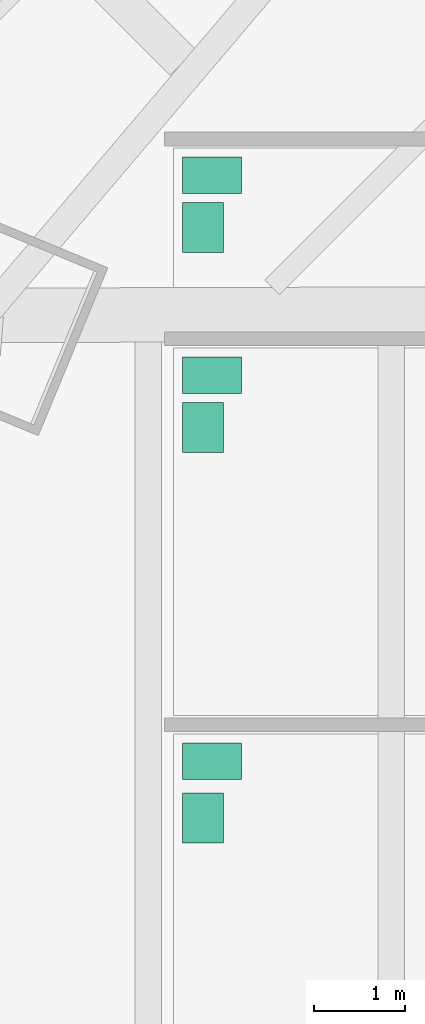
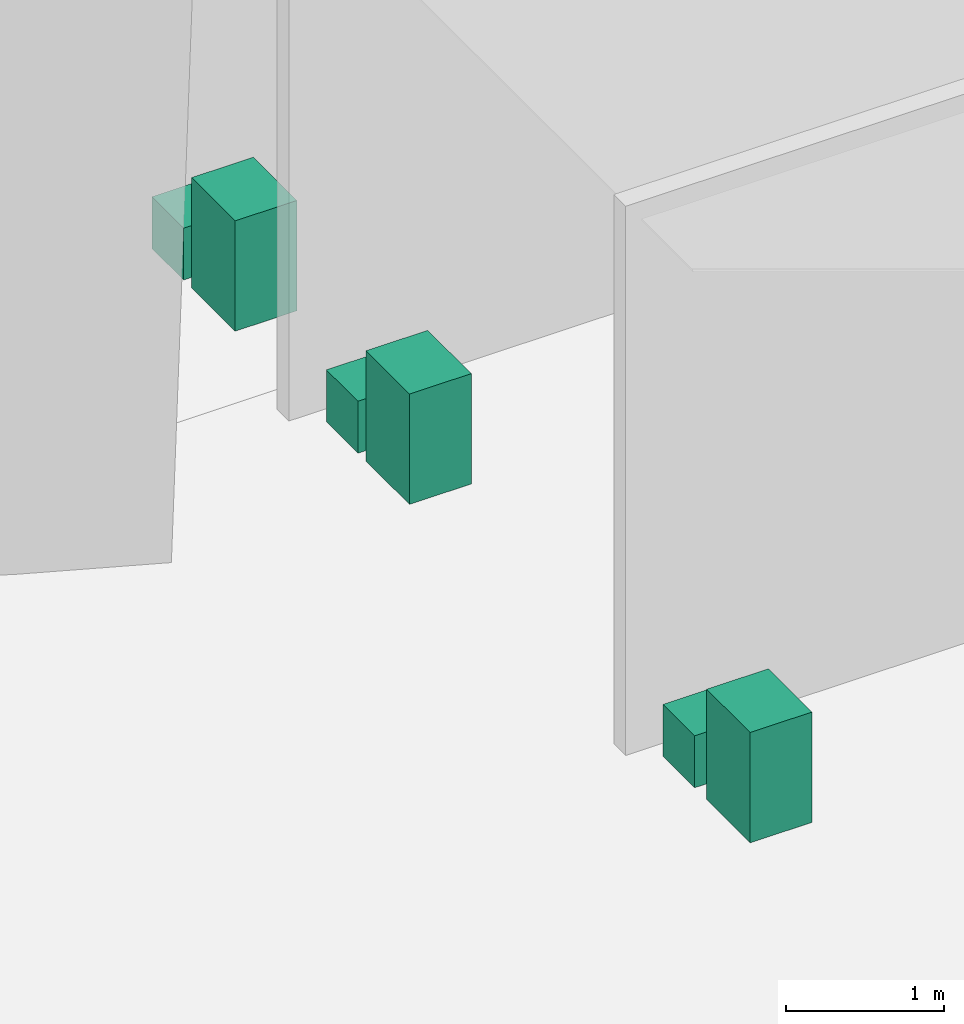
# One storey, part 18 of 18: 6 sanitary terminals.
"""IFC4 building model written with IfcOpenShell, lengths in metres."""

from ifc_helpers import new_model, si_unit, direction, frame, origin, origin_2d, place, context, subcontext, project, spatial, rectangle, extrude, material, type_object, element, save


model = new_model("IFC4")

# Units and contexts
model_context = context("Model", 3, precision=1e-05, world=origin(), true_north=direction((0.0, 1.0)))
body_context = subcontext(model_context, "Body", "Model", "MODEL_VIEW")
ifc_project = project(units=[si_unit("LENGTHUNIT", "METRE"), si_unit("AREAUNIT", "SQUARE_METRE"), si_unit("VOLUMEUNIT", "CUBIC_METRE"), si_unit("PLANEANGLEUNIT", "RADIAN"), si_unit("MASSUNIT", "GRAM", prefix="KILO")], contexts=[model_context])

# Site, building, storey
site_placement = place(None, origin())
site = spatial("IfcSite", under=ifc_project, at=site_placement, CompositionType="ELEMENT")
building_placement = place(site_placement, origin())
building = spatial("IfcBuilding", under=site, at=building_placement, Name="Mashrafa Tower", CompositionType="ELEMENT")
storey_placement = place(building_placement, frame((0.0, 0.0, 13.199951171875)))
storey = spatial("IfcBuildingStorey", under=building, at=storey_placement, Name="L02", CompositionType="ELEMENT", Elevation=13.199951171875)

# Sanitary terminals
ifc_material_1 = material(Name="Vitreous china")
sanitary_terminal_type_1 = type_object("IfcSanitaryTerminalType", Name="Toilet pan 400 x 650", PredefinedType="TOILETPAN", material=ifc_material_1)
for number, where, z_axis, x_axis, name in (
    (1, (-23.47509765625, 5.85009765625, 0.0), (0.0, 0.0, 1.0), (0.0, -1.0, 0.0), "Toilet pan WC Female L02"),
    (2, (-23.47509765625, 10.10009765625, 0.0), (0.0, 0.0, 1.0), (0.0, -1.0, 0.0), "Toilet pan WC Male L02"),
    (3, (-23.47509765625, 12.300048828125, 0.0), (0.0, 0.0, 1.0), (0.0, -1.0, 0.0), "Toilet pan Accessible WC L02"),
):
    element("IfcSanitaryTerminal", number, at=place(storey_placement, frame(where, z_axis=z_axis, x_axis=x_axis)), inside=storey, type_object=sanitary_terminal_type_1, Name=name, PredefinedType="TOILETPAN", context=body_context, shape_type="SweptSolid", body=[
        extrude(rectangle(XDim=0.39990234375, YDim=0.64990234375, at=origin_2d()), origin(), (0.0, 0.0, 1.0), 0.39990234375),
    ])
ifc_material_2 = material(Name="Vitreous china")
sanitary_terminal_type_2 = type_object("IfcSanitaryTerminalType", Name="Wash basin 550 x 450", PredefinedType="WASHHANDBASIN", material=ifc_material_2)
for number, where, z_axis, x_axis, name in (
    (4, (-23.574951171875, 5.22509765625, 0.0), (0.0, 0.0, 1.0), (0.0, -1.0, 0.0), "Wash basin WC Female L02"),
    (5, (-23.574951171875, 9.52490234375, 0.0), (0.0, 0.0, 1.0), (0.0, -1.0, 0.0), "Wash basin WC Male L02"),
    (6, (-23.574951171875, 11.72509765625, 0.0), (0.0, 0.0, 1.0), (0.0, -1.0, 0.0), "Wash basin Accessible WC L02"),
):
    element("IfcSanitaryTerminal", number, at=place(storey_placement, frame(where, z_axis=z_axis, x_axis=x_axis)), inside=storey, type_object=sanitary_terminal_type_2, Name=name, PredefinedType="WASHHANDBASIN", context=body_context, shape_type="SweptSolid", body=[
        extrude(rectangle(XDim=0.550048828125, YDim=0.449951171875, at=origin_2d()), origin(), (0.0, 0.0, 1.0), 0.85009765625),
    ])

save(model, "model.ifc")
